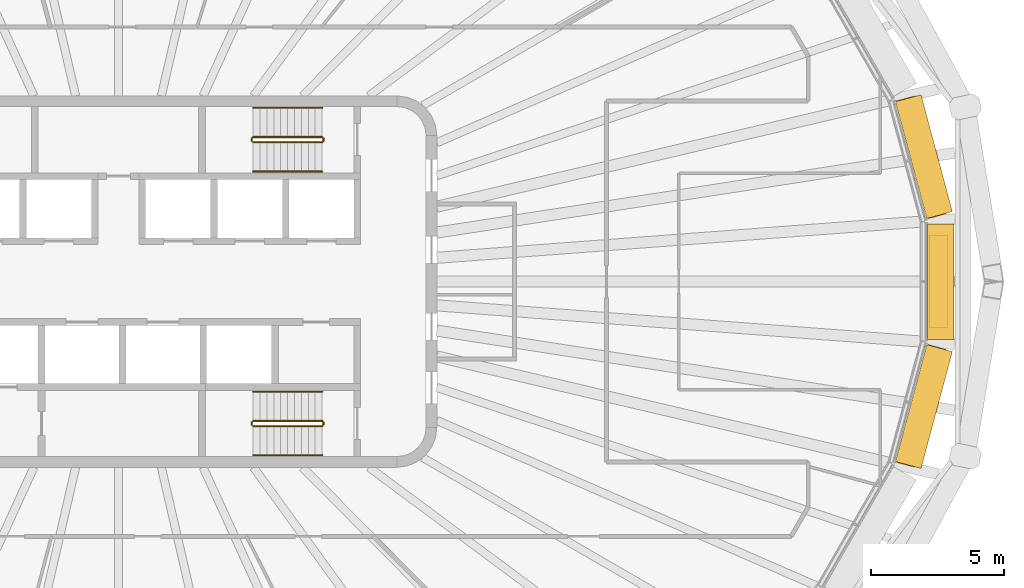
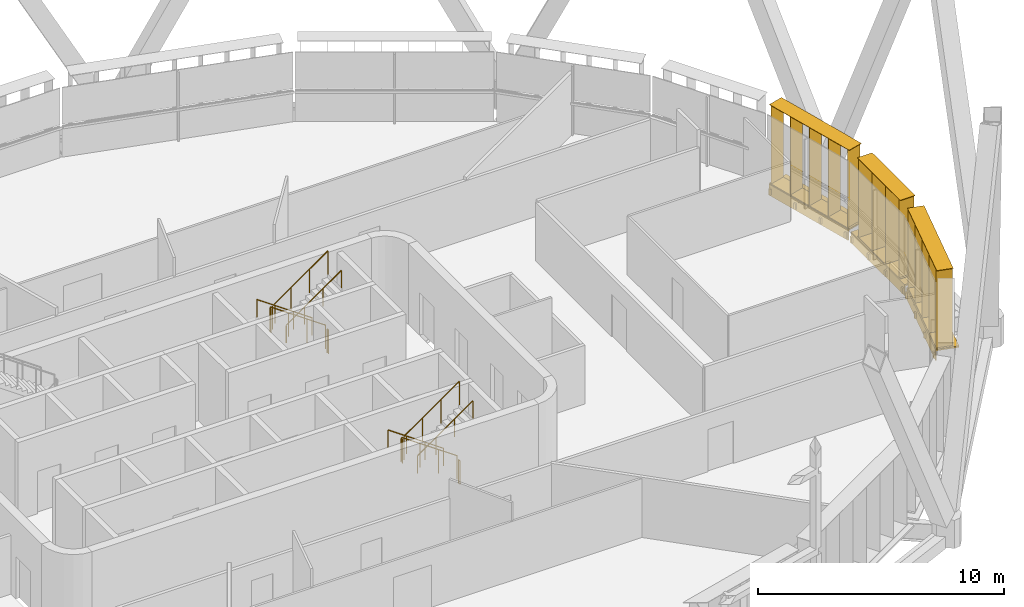
# One storey, part 21 of 22: 12 railings, 6 shading devices.
"""IFC4 building model written with IfcOpenShell, lengths in metres."""

import ifcopenshell
import ifcopenshell.guid

model = None  # the IFC model being written
_history = None  # IfcOwnerHistory: only IFC2X3 demands one
_inside = {}  # id of a spatial element -> (the spatial element, [elements in it])
_under = {}  # id of a project, library or spatial element -> (it, [spatial elements below it])
_declared = {}  # id of a project -> (the project, [libraries it declares])
_typed = {}  # id of a type object -> (the type object, [elements of that type])
_made_of = {}  # id of a material, layer set ... -> (it, [elements and type objects made of it])


def new_model(schema):
    """Start an empty IFC model of exactly this schema.

    Asked for "IFC4X3", IfcOpenShell would pick the latest addendum, in which some entities
    have other attributes; the version numbers below select the first issue.
    IFC2X3 requires an IfcOwnerHistory on every rooted entity: one is made here for all.
    """
    global model, _history
    if schema == "IFC4X3":
        model = ifcopenshell.file(schema_version=(4, 3, 0, 0))
    else:
        model = ifcopenshell.file(schema=schema)
    _inside.clear()
    _under.clear()
    _declared.clear()
    _typed.clear()
    _made_of.clear()
    _history = None
    if model.schema == "IFC2X3":
        org = make("IfcOrganization", Name="unknown")
        user = make(
            "IfcPersonAndOrganization",
            ThePerson=make("IfcPerson", FamilyName="unknown"),
            TheOrganization=org,
        )
        app = make(
            "IfcApplication",
            ApplicationDeveloper=org,
            Version="unknown",
            ApplicationFullName="unknown",
            ApplicationIdentifier="unknown",
        )
        _history = make(
            "IfcOwnerHistory",
            OwningUser=user,
            OwningApplication=app,
            ChangeAction="ADDED",
            CreationDate=0,
        )
    return model


def make(cls, **values):
    """One entity of the class cls with the attributes given. An attribute that is None is left unset."""
    return model.create_entity(
        cls, **{name: value for name, value in values.items() if value is not None}
    )


def rooted(cls, **values):
    """An entity with a GlobalId (a new one), such as an element, a storey or a relation."""
    return make(cls, GlobalId=ifcopenshell.guid.new(), OwnerHistory=_history, **values)


def si_unit(unit_type, name, prefix=None):
    """IfcSIUnit, for example si_unit("LENGTHUNIT", "METRE", prefix="MILLI")."""
    return make("IfcSIUnit", UnitType=unit_type, Prefix=prefix, Name=name)


def assignment(units):
    """IfcUnitAssignment: the units of a project."""
    return None if units is None else make("IfcUnitAssignment", Units=units)


def point(xyz):
    """IfcCartesianPoint."""
    return None if xyz is None else make("IfcCartesianPoint", Coordinates=xyz)


def direction(xyz):
    """IfcDirection."""
    return None if xyz is None else make("IfcDirection", DirectionRatios=xyz)


def frame(location, z_axis=None, x_axis=None):
    """IfcAxis2Placement3D, a coordinate frame: its origin and axes. An axis left out is left unset."""
    return make(
        "IfcAxis2Placement3D",
        Location=point(location),
        Axis=direction(z_axis),
        RefDirection=direction(x_axis),
    )


def frame_2d(location, x_axis=None):
    """IfcAxis2Placement2D, a coordinate frame in the plane: its origin and x axis."""
    return make(
        "IfcAxis2Placement2D", Location=point(location), RefDirection=direction(x_axis)
    )


def origin():
    """The frame at (0, 0, 0) with its axes left unset."""
    return frame((0.0, 0.0, 0.0))


def origin_2d():
    """The frame at (0, 0) in the plane with its x axis left unset."""
    return frame_2d((0.0, 0.0))


def place(relative_to, where):
    """IfcLocalPlacement: puts the frame where relative to a parent placement (None: the world)."""
    return make(
        "IfcLocalPlacement", PlacementRelTo=relative_to, RelativePlacement=where
    )


def context(
    kind, dimensions, precision=None, world=None, true_north=None, identifier=None
):
    """IfcGeometricRepresentationContext, for example the 3D "Model" context."""
    return make(
        "IfcGeometricRepresentationContext",
        ContextIdentifier=identifier,
        ContextType=kind,
        CoordinateSpaceDimension=dimensions,
        Precision=precision,
        WorldCoordinateSystem=world,
        TrueNorth=true_north,
    )


def subcontext(parent, identifier, kind, view, scale=None):
    """IfcGeometricRepresentationSubContext, for example "Body" below "Model"."""
    return make(
        "IfcGeometricRepresentationSubContext",
        ContextIdentifier=identifier,
        ContextType=kind,
        ParentContext=parent,
        TargetScale=scale,
        TargetView=view,
    )


def project(units=None, contexts=None):
    """IfcProject with its units and contexts."""
    return rooted(
        "IfcProject",
        Name="project",
        RepresentationContexts=contexts,
        UnitsInContext=assignment(units),
    )


def spatial(cls, under=None, at=None, **own):
    """A site, building, storey or space (cls), placed at a placement, below another one or the project."""
    s = rooted(cls, ObjectPlacement=at, **own)
    if under is not None:
        _under.setdefault(under.id(), (under, []))[1].append(s)
    return s


def profile(cls, at=None, kind="AREA", **sizes):
    """A parametric profile (cls). Its sizes go by their IFC names, for example OverallWidth=200.0."""
    return make(cls, ProfileType=kind, Position=at, **sizes)


def rectangle(**sizes):
    """IfcRectangleProfileDef."""
    return profile("IfcRectangleProfileDef", **sizes)


def circle(**sizes):
    """IfcCircleProfileDef."""
    return profile("IfcCircleProfileDef", **sizes)


def extrude(swept, where, along, depth):
    """IfcExtrudedAreaSolid: the profile swept, set in the frame where, extruded along a direction by depth."""
    return make(
        "IfcExtrudedAreaSolid",
        SweptArea=swept,
        Position=where,
        ExtrudedDirection=direction(along),
        Depth=depth,
    )


def shape(context_of_items, identifier, shape_type, items):
    """IfcShapeRepresentation: the items that make up one representation, for example the "Body"."""
    return make(
        "IfcShapeRepresentation",
        ContextOfItems=context_of_items,
        RepresentationIdentifier=identifier,
        RepresentationType=shape_type,
        Items=items,
    )


def material(Name=None, Category=None):
    """IfcMaterial."""
    return make("IfcMaterial", Name=Name, Category=Category)


def made_of(thing, what):
    """Note that an element or type object is made of a material, layer set ...; save() writes the relation."""
    if what is not None:
        _made_of.setdefault(what.id(), (what, []))[1].append(thing)
    return thing


def type_object(cls, material=None, **own):
    """A type object (cls), such as IfcWallType, which elements share."""
    return made_of(rooted(cls, **own), material)


def element(
    cls,
    number,
    at=None,
    inside=None,
    cuts=None,
    type_object=None,
    material=None,
    context=None,
    identifier="Body",
    shape_type=None,
    held_by="IfcProductDefinitionShape",
    body=None,
    shapes=None,
    **own,
):
    """One element of the class cls, such as IfcWall. Its Tag is "e" and its number.

    at: its placement. inside: the storey or other place that contains it. cuts: it is an
    opening in that element (IfcRelVoidsElement). A single representation is given by context,
    identifier, shape_type and body (its items); several are given by shapes. held_by: the class
    of the entity that holds the representations. save() writes the other relations.
    """
    e = rooted(cls, Tag="e%d" % number, ObjectPlacement=at, **own)
    if body is not None:
        shapes = [shape(context, identifier, shape_type, body)]
    if shapes is not None:
        e.Representation = make(held_by, Representations=shapes)
    if inside is not None:
        _inside.setdefault(inside.id(), (inside, []))[1].append(e)
    if cuts is not None:
        rooted(
            "IfcRelVoidsElement", RelatingBuildingElement=cuts, RelatedOpeningElement=e
        )
    if type_object is not None:
        _typed.setdefault(type_object.id(), (type_object, []))[1].append(e)
    return made_of(e, material)


def aggregate(whole, parts):
    """IfcRelAggregates: a whole, such as a stair, and the parts it consists of."""
    return rooted("IfcRelAggregates", RelatingObject=whole, RelatedObjects=parts)


def save(model, path):
    """Write the relations noted so far, then the file.

    IfcRelAggregates (storeys below a building ...), IfcRelContainedInSpatialStructure (elements
    in a storey), IfcRelDefinesByType, IfcRelAssociatesMaterial and IfcRelDeclares: one each for
    every whole, place, type object, material and project.
    """
    for whole, parts in _under.values():
        aggregate(whole, parts)
    for where, things in _inside.values():
        rooted(
            "IfcRelContainedInSpatialStructure",
            RelatedElements=things,
            RelatingStructure=where,
        )
    for kind, things in _typed.values():
        rooted("IfcRelDefinesByType", RelatedObjects=things, RelatingType=kind)
    for what, things in _made_of.values():
        rooted("IfcRelAssociatesMaterial", RelatedObjects=things, RelatingMaterial=what)
    for by, libraries in _declared.values():
        rooted("IfcRelDeclares", RelatingContext=by, RelatedDefinitions=libraries)
    model.write(path)


model = new_model("IFC4")

# Units and contexts
model_context = context("Model", 3, precision=1e-05, world=origin(), true_north=direction((0.0, 1.0)))
body_context = subcontext(model_context, "Body", "Model", "MODEL_VIEW")
ifc_project = project(units=[si_unit("LENGTHUNIT", "METRE"), si_unit("AREAUNIT", "SQUARE_METRE"), si_unit("VOLUMEUNIT", "CUBIC_METRE"), si_unit("PLANEANGLEUNIT", "RADIAN"), si_unit("MASSUNIT", "GRAM", prefix="KILO")], contexts=[model_context])

# Site, building, storey
site_placement = place(None, origin())
site = spatial("IfcSite", under=ifc_project, at=site_placement, CompositionType="ELEMENT")
building_placement = place(site_placement, origin())
building = spatial("IfcBuilding", under=site, at=building_placement, Name="Sahrelin Media Tower", CompositionType="ELEMENT")
storey_placement = place(building_placement, frame((0.0, 0.0, 233.60009765625)))
storey = spatial("IfcBuildingStorey", under=building, at=storey_placement, Name="L50", CompositionType="ELEMENT", Elevation=233.60009765625)

# Shading devices
ifc_material_1 = material(Name="Champagne anodised aluminium 6063-T6", Category="aluminium")
shading_device_type_1 = type_object("IfcShadingDeviceType", Name="Fin cassette", PredefinedType="USERDEFINED", material=ifc_material_1)
placement_1 = place(storey_placement, frame((30.474853515625, 0.0, 0.0), z_axis=(0.0, 0.0, 1.0), x_axis=(0.0, -1.0, 0.0)))
element("IfcShadingDevice", 1, at=placement_1, inside=storey, type_object=shading_device_type_1, Name="L50:FIN:L50-00", ObjectType="FIN", PredefinedType="USERDEFINED", context=body_context, shape_type="SweptSolid", body=[
    extrude(rectangle(XDim=3.5, YDim=0.699951171875, at=origin_2d()), frame((0.0, 0.419921875, 0.0)), (0.0, 0.0, 1.0), 0.02001953125),
    extrude(rectangle(XDim=3.5, YDim=0.699951171875, at=origin_2d()), frame((0.0, 0.419921875, 3.89990234375)), (0.0, 0.0, 1.0), 0.02001953125),
    extrude(rectangle(XDim=0.02001953125, YDim=0.699951171875, at=origin_2d()), frame((-1.64990234375, 0.419921875, 0.010009765625), z_axis=(0.0, 0.0, 1.0), x_axis=(1.0, 0.0, 0.0)), (0.0, 0.0, 1.0), 3.89990234375),
    extrude(rectangle(XDim=0.02001953125, YDim=0.699951171875, at=origin_2d()), frame((-0.550048828125, 0.419921875, 0.010009765625), z_axis=(0.0, 0.0, 1.0), x_axis=(1.0, 0.0, 0.0)), (0.0, 0.0, 1.0), 3.89990234375),
    extrude(rectangle(XDim=0.02001953125, YDim=0.699951171875, at=origin_2d()), frame((0.550048828125, 0.419921875, 0.010009765625), z_axis=(0.0, 0.0, 1.0), x_axis=(1.0, 0.0, 0.0)), (0.0, 0.0, 1.0), 3.89990234375),
    extrude(rectangle(XDim=0.02001953125, YDim=0.699951171875, at=origin_2d()), frame((1.64990234375, 0.419921875, 0.010009765625), z_axis=(0.0, 0.0, 1.0), x_axis=(1.0, 0.0, 0.0)), (0.0, 0.0, 1.0), 3.89990234375),
])
placement_2 = place(storey_placement, frame((29.858642578125, 4.576171875, 0.0), z_axis=(0.0, 0.0, 1.0), x_axis=(0.258807731996, -0.965928857556, 0.0)))
element("IfcShadingDevice", 2, at=placement_2, inside=storey, type_object=shading_device_type_1, Name="L50:FIN:L50-01", ObjectType="FIN", PredefinedType="USERDEFINED", context=body_context, shape_type="SweptSolid", body=[
    extrude(rectangle(XDim=4.60009765625, YDim=0.699951171875, at=origin_2d()), frame((0.0, 0.419921875, 0.0)), (0.0, 0.0, 1.0), 0.02001953125),
    extrude(rectangle(XDim=4.60009765625, YDim=0.699951171875, at=origin_2d()), frame((0.0, 0.419921875, 3.89990234375)), (0.0, 0.0, 1.0), 0.02001953125),
    extrude(rectangle(XDim=0.02001953125, YDim=0.699951171875, at=origin_2d()), frame((-2.199951171875, 0.419921875, 0.010009765625), z_axis=(0.0, 0.0, 1.0), x_axis=(1.0, 0.0, 0.0)), (0.0, 0.0, 1.0), 3.89990234375),
    extrude(rectangle(XDim=0.02001953125, YDim=0.699951171875, at=origin_2d()), frame((-1.10009765625, 0.419921875, 0.010009765625), z_axis=(0.0, 0.0, 1.0), x_axis=(1.0, 0.0, 0.0)), (0.0, 0.0, 1.0), 3.89990234375),
    extrude(rectangle(XDim=0.02001953125, YDim=0.699951171875, at=origin_2d()), frame((0.0, 0.419921875, 0.010009765625), z_axis=(0.0, 0.0, 1.0), x_axis=(1.0, 0.0, 0.0)), (0.0, 0.0, 1.0), 3.89990234375),
    extrude(rectangle(XDim=0.02001953125, YDim=0.699951171875, at=origin_2d()), frame((1.10009765625, 0.419921875, 0.010009765625), z_axis=(0.0, 0.0, 1.0), x_axis=(1.0, 0.0, 0.0)), (0.0, 0.0, 1.0), 3.89990234375),
    extrude(rectangle(XDim=0.02001953125, YDim=0.699951171875, at=origin_2d()), frame((2.199951171875, 0.419921875, 0.010009765625), z_axis=(0.0, 0.0, 1.0), x_axis=(1.0, 0.0, 0.0)), (0.0, 0.0, 1.0), 3.89990234375),
])
placement_3 = place(storey_placement, frame((29.858642578125, -4.576171875, 0.0), z_axis=(0.0, 0.0, 1.0), x_axis=(-0.258807731996, -0.965928857556, 0.0)))
element("IfcShadingDevice", 3, at=placement_3, inside=storey, type_object=shading_device_type_1, Name="L50:FIN:L50-23", ObjectType="FIN", PredefinedType="USERDEFINED", context=body_context, shape_type="SweptSolid", body=[
    extrude(rectangle(XDim=4.60009765625, YDim=0.699951171875, at=origin_2d()), frame((0.0, 0.419921875, 0.0)), (0.0, 0.0, 1.0), 0.02001953125),
    extrude(rectangle(XDim=4.60009765625, YDim=0.699951171875, at=origin_2d()), frame((0.0, 0.419921875, 3.89990234375)), (0.0, 0.0, 1.0), 0.02001953125),
    extrude(rectangle(XDim=0.02001953125, YDim=0.699951171875, at=origin_2d()), frame((-2.199951171875, 0.419921875, 0.010009765625), z_axis=(0.0, 0.0, 1.0), x_axis=(1.0, 0.0, 0.0)), (0.0, 0.0, 1.0), 3.89990234375),
    extrude(rectangle(XDim=0.02001953125, YDim=0.699951171875, at=origin_2d()), frame((-1.10009765625, 0.419921875, 0.010009765625), z_axis=(0.0, 0.0, 1.0), x_axis=(1.0, 0.0, 0.0)), (0.0, 0.0, 1.0), 3.89990234375),
    extrude(rectangle(XDim=0.02001953125, YDim=0.699951171875, at=origin_2d()), frame((0.0, 0.419921875, 0.010009765625), z_axis=(0.0, 0.0, 1.0), x_axis=(1.0, 0.0, 0.0)), (0.0, 0.0, 1.0), 3.89990234375),
    extrude(rectangle(XDim=0.02001953125, YDim=0.699951171875, at=origin_2d()), frame((1.10009765625, 0.419921875, 0.010009765625), z_axis=(0.0, 0.0, 1.0), x_axis=(1.0, 0.0, 0.0)), (0.0, 0.0, 1.0), 3.89990234375),
    extrude(rectangle(XDim=0.02001953125, YDim=0.699951171875, at=origin_2d()), frame((2.199951171875, 0.419921875, 0.010009765625), z_axis=(0.0, 0.0, 1.0), x_axis=(1.0, 0.0, 0.0)), (0.0, 0.0, 1.0), 3.89990234375),
])

# Railings
ifc_material_2 = material(Name="Steel S355", Category="steel")
railing_type_1 = type_object("IfcRailingType", Name="Stair guard 1200", PredefinedType="GUARDRAIL", material=ifc_material_2)
railing_1_placement = place(storey_placement, frame((7.675048828125, 5.449951171875, 0.181640625)))
element("IfcRailing", 4, at=railing_1_placement, inside=storey, type_object=railing_type_1, Name="L50 ST3 stair guard 1", PredefinedType="GUARDRAIL", context=body_context, shape_type="SweptSolid", body=[
    extrude(circle(Radius=0.02392578125, at=origin_2d()), frame((0.0, 0.0, 1.17578125), z_axis=(-0.819484887739, 0.0, 0.573100792852), x_axis=(0.0, -1.0, 0.0)), (0.0, 0.0, 1.0), 3.1728515625),
    extrude(circle(Radius=0.02099609375, at=origin_2d()), origin(), (0.0, 0.0, 1.0), 1.15185546875),
    extrude(circle(Radius=0.02099609375, at=origin_2d()), frame((-0.86669921875, 0.0, 0.606201171875)), (0.0, 0.0, 1.0), 1.15185546875),
    extrude(circle(Radius=0.02099609375, at=origin_2d()), frame((-1.7333984375, 0.0, 1.212158203125)), (0.0, 0.0, 1.0), 1.15185546875),
    extrude(circle(Radius=0.02099609375, at=origin_2d()), frame((-2.60009765625, 0.0, 1.818359375)), (0.0, 0.0, 1.0), 1.15185546875),
])
railing_2_placement = place(storey_placement, frame((5.02490234375, 5.39990234375, 2.0)))
element("IfcRailing", 5, at=railing_2_placement, inside=storey, type_object=railing_type_1, Name="L50 ST3 stair guard 2", PredefinedType="GUARDRAIL", context=body_context, shape_type="SweptSolid", body=[
    extrude(circle(Radius=0.02392578125, at=origin_2d()), frame((0.0, 0.0, 1.17578125), z_axis=(0.0, -1.0, 0.0), x_axis=(1.0, 0.0, 0.0)), (0.0, 0.0, 1.0), 0.099853515625),
    extrude(circle(Radius=0.02099609375, at=origin_2d()), origin(), (0.0, 0.0, 1.0), 1.15185546875),
    extrude(circle(Radius=0.02099609375, at=origin_2d()), frame((0.0, -0.099853515625, 0.0)), (0.0, 0.0, 1.0), 1.15185546875),
])
railing_3_placement = place(storey_placement, frame((5.074951171875, 5.25, 2.181640625)))
element("IfcRailing", 6, at=railing_3_placement, inside=storey, type_object=railing_type_1, Name="L50 ST3 stair guard 3", PredefinedType="GUARDRAIL", context=body_context, shape_type="SweptSolid", body=[
    extrude(circle(Radius=0.02392578125, at=origin_2d()), frame((0.0, 0.0, 1.17578125), z_axis=(0.819484887739, 0.0, 0.573100792852), x_axis=(0.0, 1.0, 0.0)), (0.0, 0.0, 1.0), 3.1728515625),
    extrude(circle(Radius=0.02099609375, at=origin_2d()), origin(), (0.0, 0.0, 1.0), 1.15185546875),
    extrude(circle(Radius=0.02099609375, at=origin_2d()), frame((0.86669921875, 0.0, 0.606201171875)), (0.0, 0.0, 1.0), 1.15185546875),
    extrude(circle(Radius=0.02099609375, at=origin_2d()), frame((1.7333984375, 0.0, 1.212158203125)), (0.0, 0.0, 1.0), 1.15185546875),
    extrude(circle(Radius=0.02099609375, at=origin_2d()), frame((2.60009765625, 0.0, 1.818359375)), (0.0, 0.0, 1.0), 1.15185546875),
])
railing_4_placement = place(storey_placement, frame((7.72509765625, 5.39990234375, 0.0)))
element("IfcRailing", 7, at=railing_4_placement, inside=storey, type_object=railing_type_1, Name="L50 ST3 stair guard 4", PredefinedType="GUARDRAIL", context=body_context, shape_type="SweptSolid", body=[
    extrude(circle(Radius=0.02392578125, at=origin_2d()), frame((0.0, 0.0, 1.17578125), z_axis=(0.0, -1.0, 0.0), x_axis=(1.0, 0.0, 0.0)), (0.0, 0.0, 1.0), 0.099853515625),
    extrude(circle(Radius=0.02099609375, at=origin_2d()), origin(), (0.0, 0.0, 1.0), 1.15185546875),
    extrude(circle(Radius=0.02099609375, at=origin_2d()), frame((0.0, -0.099853515625, 0.0)), (0.0, 0.0, 1.0), 1.15185546875),
])
railing_5_placement = place(storey_placement, frame((7.675048828125, -5.25, 0.181640625)))
element("IfcRailing", 8, at=railing_5_placement, inside=storey, type_object=railing_type_1, Name="L50 ST2 stair guard 1", PredefinedType="GUARDRAIL", context=body_context, shape_type="SweptSolid", body=[
    extrude(circle(Radius=0.02392578125, at=origin_2d()), frame((0.0, 0.0, 1.17578125), z_axis=(-0.819484887739, 0.0, 0.573100792852), x_axis=(0.0, -1.0, 0.0)), (0.0, 0.0, 1.0), 3.1728515625),
    extrude(circle(Radius=0.02099609375, at=origin_2d()), origin(), (0.0, 0.0, 1.0), 1.15185546875),
    extrude(circle(Radius=0.02099609375, at=origin_2d()), frame((-0.86669921875, 0.0, 0.606201171875)), (0.0, 0.0, 1.0), 1.15185546875),
    extrude(circle(Radius=0.02099609375, at=origin_2d()), frame((-1.7333984375, 0.0, 1.212158203125)), (0.0, 0.0, 1.0), 1.15185546875),
    extrude(circle(Radius=0.02099609375, at=origin_2d()), frame((-2.60009765625, 0.0, 1.818359375)), (0.0, 0.0, 1.0), 1.15185546875),
])
railing_6_placement = place(storey_placement, frame((5.02490234375, -5.300048828125, 2.0)))
element("IfcRailing", 9, at=railing_6_placement, inside=storey, type_object=railing_type_1, Name="L50 ST2 stair guard 2", PredefinedType="GUARDRAIL", context=body_context, shape_type="SweptSolid", body=[
    extrude(circle(Radius=0.02392578125, at=origin_2d()), frame((0.0, 0.0, 1.17578125), z_axis=(0.0, -1.0, 0.0), x_axis=(1.0, 0.0, 0.0)), (0.0, 0.0, 1.0), 0.099853515625),
    extrude(circle(Radius=0.02099609375, at=origin_2d()), origin(), (0.0, 0.0, 1.0), 1.15185546875),
    extrude(circle(Radius=0.02099609375, at=origin_2d()), frame((0.0, -0.099853515625, 0.0)), (0.0, 0.0, 1.0), 1.15185546875),
])
railing_7_placement = place(storey_placement, frame((5.074951171875, -5.449951171875, 2.181640625)))
element("IfcRailing", 10, at=railing_7_placement, inside=storey, type_object=railing_type_1, Name="L50 ST2 stair guard 3", PredefinedType="GUARDRAIL", context=body_context, shape_type="SweptSolid", body=[
    extrude(circle(Radius=0.02392578125, at=origin_2d()), frame((0.0, 0.0, 1.17578125), z_axis=(0.819484887739, 0.0, 0.573100792852), x_axis=(0.0, 1.0, 0.0)), (0.0, 0.0, 1.0), 3.1728515625),
    extrude(circle(Radius=0.02099609375, at=origin_2d()), origin(), (0.0, 0.0, 1.0), 1.15185546875),
    extrude(circle(Radius=0.02099609375, at=origin_2d()), frame((0.86669921875, 0.0, 0.606201171875)), (0.0, 0.0, 1.0), 1.15185546875),
    extrude(circle(Radius=0.02099609375, at=origin_2d()), frame((1.7333984375, 0.0, 1.212158203125)), (0.0, 0.0, 1.0), 1.15185546875),
    extrude(circle(Radius=0.02099609375, at=origin_2d()), frame((2.60009765625, 0.0, 1.818359375)), (0.0, 0.0, 1.0), 1.15185546875),
])
railing_8_placement = place(storey_placement, frame((7.72509765625, -5.300048828125, 0.0)))
element("IfcRailing", 11, at=railing_8_placement, inside=storey, type_object=railing_type_1, Name="L50 ST2 stair guard 4", PredefinedType="GUARDRAIL", context=body_context, shape_type="SweptSolid", body=[
    extrude(circle(Radius=0.02392578125, at=origin_2d()), frame((0.0, 0.0, 1.17578125), z_axis=(0.0, -1.0, 0.0), x_axis=(1.0, 0.0, 0.0)), (0.0, 0.0, 1.0), 0.099853515625),
    extrude(circle(Radius=0.02099609375, at=origin_2d()), origin(), (0.0, 0.0, 1.0), 1.15185546875),
    extrude(circle(Radius=0.02099609375, at=origin_2d()), frame((0.0, -0.099853515625, 0.0)), (0.0, 0.0, 1.0), 1.15185546875),
])
railing_type_2 = type_object("IfcRailingType", Name="Stair handrail 900", PredefinedType="HANDRAIL", material=ifc_material_2)
railing_9_placement = place(storey_placement, frame((7.675048828125, 6.550048828125, 0.181640625)))
element("IfcRailing", 12, at=railing_9_placement, inside=storey, type_object=railing_type_2, Name="L50 ST3 stair handrail 1", PredefinedType="HANDRAIL", context=body_context, shape_type="SweptSolid", body=[
    extrude(circle(Radius=0.02392578125, at=origin_2d()), frame((0.0, 0.0, 0.8759765625), z_axis=(-0.819484887739, 0.0, 0.573100792852), x_axis=(0.0, -1.0, 0.0)), (0.0, 0.0, 1.0), 3.1728515625),
    extrude(circle(Radius=0.02099609375, at=origin_2d()), origin(), (0.0, 0.0, 1.0), 0.851806640625),
    extrude(circle(Radius=0.02099609375, at=origin_2d()), frame((-0.86669921875, 0.0, 0.606201171875)), (0.0, 0.0, 1.0), 0.851806640625),
    extrude(circle(Radius=0.02099609375, at=origin_2d()), frame((-1.7333984375, 0.0, 1.212158203125)), (0.0, 0.0, 1.0), 0.851806640625),
    extrude(circle(Radius=0.02099609375, at=origin_2d()), frame((-2.60009765625, 0.0, 1.818359375)), (0.0, 0.0, 1.0), 0.851806640625),
])
railing_10_placement = place(storey_placement, frame((5.074951171875, 4.14990234375, 2.181640625)))
element("IfcRailing", 13, at=railing_10_placement, inside=storey, type_object=railing_type_2, Name="L50 ST3 stair handrail 2", PredefinedType="HANDRAIL", context=body_context, shape_type="SweptSolid", body=[
    extrude(circle(Radius=0.02392578125, at=origin_2d()), frame((0.0, 0.0, 0.8759765625), z_axis=(0.819484887739, 0.0, 0.573100792852), x_axis=(0.0, 1.0, 0.0)), (0.0, 0.0, 1.0), 3.1728515625),
    extrude(circle(Radius=0.02099609375, at=origin_2d()), origin(), (0.0, 0.0, 1.0), 0.851806640625),
    extrude(circle(Radius=0.02099609375, at=origin_2d()), frame((0.86669921875, 0.0, 0.606201171875)), (0.0, 0.0, 1.0), 0.851806640625),
    extrude(circle(Radius=0.02099609375, at=origin_2d()), frame((1.7333984375, 0.0, 1.212158203125)), (0.0, 0.0, 1.0), 0.851806640625),
    extrude(circle(Radius=0.02099609375, at=origin_2d()), frame((2.60009765625, 0.0, 1.818359375)), (0.0, 0.0, 1.0), 0.851806640625),
])
railing_11_placement = place(storey_placement, frame((7.675048828125, -4.14990234375, 0.181640625)))
element("IfcRailing", 14, at=railing_11_placement, inside=storey, type_object=railing_type_2, Name="L50 ST2 stair handrail 1", PredefinedType="HANDRAIL", context=body_context, shape_type="SweptSolid", body=[
    extrude(circle(Radius=0.02392578125, at=origin_2d()), frame((0.0, 0.0, 0.8759765625), z_axis=(-0.819484887739, 0.0, 0.573100792852), x_axis=(0.0, -1.0, 0.0)), (0.0, 0.0, 1.0), 3.1728515625),
    extrude(circle(Radius=0.02099609375, at=origin_2d()), origin(), (0.0, 0.0, 1.0), 0.851806640625),
    extrude(circle(Radius=0.02099609375, at=origin_2d()), frame((-0.86669921875, 0.0, 0.606201171875)), (0.0, 0.0, 1.0), 0.851806640625),
    extrude(circle(Radius=0.02099609375, at=origin_2d()), frame((-1.7333984375, 0.0, 1.212158203125)), (0.0, 0.0, 1.0), 0.851806640625),
    extrude(circle(Radius=0.02099609375, at=origin_2d()), frame((-2.60009765625, 0.0, 1.818359375)), (0.0, 0.0, 1.0), 0.851806640625),
])
railing_12_placement = place(storey_placement, frame((5.074951171875, -6.550048828125, 2.181640625)))
element("IfcRailing", 15, at=railing_12_placement, inside=storey, type_object=railing_type_2, Name="L50 ST2 stair handrail 2", PredefinedType="HANDRAIL", context=body_context, shape_type="SweptSolid", body=[
    extrude(circle(Radius=0.02392578125, at=origin_2d()), frame((0.0, 0.0, 0.8759765625), z_axis=(0.819484887739, 0.0, 0.573100792852), x_axis=(0.0, 1.0, 0.0)), (0.0, 0.0, 1.0), 3.1728515625),
    extrude(circle(Radius=0.02099609375, at=origin_2d()), origin(), (0.0, 0.0, 1.0), 0.851806640625),
    extrude(circle(Radius=0.02099609375, at=origin_2d()), frame((0.86669921875, 0.0, 0.606201171875)), (0.0, 0.0, 1.0), 0.851806640625),
    extrude(circle(Radius=0.02099609375, at=origin_2d()), frame((1.7333984375, 0.0, 1.212158203125)), (0.0, 0.0, 1.0), 0.851806640625),
    extrude(circle(Radius=0.02099609375, at=origin_2d()), frame((2.60009765625, 0.0, 1.818359375)), (0.0, 0.0, 1.0), 0.851806640625),
])

# Shading devices
shading_device_type_2 = type_object("IfcShadingDeviceType", Name="Sunshade band", PredefinedType="USERDEFINED", material=ifc_material_1)
element("IfcShadingDevice", 16, at=placement_1, inside=storey, type_object=shading_device_type_2, Name="L50:SUN:L50-00", ObjectType="SUNSHADE", PredefinedType="USERDEFINED", context=body_context, shape_type="SweptSolid", body=[
    extrude(rectangle(XDim=4.352783203125, YDim=0.050048828125, at=origin_2d()), frame((0.0, 0.044921875, -0.55126953125)), (0.0, 0.0, 1.0), 0.471435546875),
    extrude(rectangle(XDim=4.352783203125, YDim=1.0, at=origin_2d()), frame((0.0, 0.52001953125, -0.080078125)), (0.0, 0.0, 1.0), 0.080078125),
    extrude(rectangle(XDim=0.10009765625, YDim=0.074951171875, at=origin_2d()), frame((-2.076416015625, -0.017578125, -0.47021484375)), (0.0, 0.0, 1.0), 0.300048828125),
    extrude(rectangle(XDim=0.10009765625, YDim=0.074951171875, at=origin_2d()), frame((-0.692138671875, -0.017578125, -0.47021484375)), (0.0, 0.0, 1.0), 0.300048828125),
    extrude(rectangle(XDim=0.10009765625, YDim=0.074951171875, at=origin_2d()), frame((0.692138671875, -0.017578125, -0.47021484375)), (0.0, 0.0, 1.0), 0.300048828125),
    extrude(rectangle(XDim=0.10009765625, YDim=0.074951171875, at=origin_2d()), frame((2.076416015625, -0.017578125, -0.47021484375)), (0.0, 0.0, 1.0), 0.300048828125),
])
element("IfcShadingDevice", 17, at=placement_2, inside=storey, type_object=shading_device_type_2, Name="L50:SUN:L50-01", ObjectType="SUNSHADE", PredefinedType="USERDEFINED", context=body_context, shape_type="SweptSolid", body=[
    extrude(rectangle(XDim=4.5615234375, YDim=0.050048828125, at=origin_2d()), frame((0.0, 0.044921875, -0.55126953125)), (0.0, 0.0, 1.0), 0.471435546875),
    extrude(rectangle(XDim=4.5615234375, YDim=1.0, at=origin_2d()), frame((0.0, 0.52001953125, -0.080078125)), (0.0, 0.0, 1.0), 0.080078125),
    extrude(rectangle(XDim=0.10009765625, YDim=0.074951171875, at=origin_2d()), frame((-2.180908203125, -0.017578125, -0.47021484375)), (0.0, 0.0, 1.0), 0.300048828125),
    extrude(rectangle(XDim=0.10009765625, YDim=0.074951171875, at=origin_2d()), frame((-0.726806640625, -0.017578125, -0.47021484375)), (0.0, 0.0, 1.0), 0.300048828125),
    extrude(rectangle(XDim=0.10009765625, YDim=0.074951171875, at=origin_2d()), frame((0.726806640625, -0.017578125, -0.47021484375)), (0.0, 0.0, 1.0), 0.300048828125),
    extrude(rectangle(XDim=0.10009765625, YDim=0.074951171875, at=origin_2d()), frame((2.180908203125, -0.017578125, -0.47021484375)), (0.0, 0.0, 1.0), 0.300048828125),
])
element("IfcShadingDevice", 18, at=placement_3, inside=storey, type_object=shading_device_type_2, Name="L50:SUN:L50-23", ObjectType="SUNSHADE", PredefinedType="USERDEFINED", context=body_context, shape_type="SweptSolid", body=[
    extrude(rectangle(XDim=4.5615234375, YDim=0.050048828125, at=origin_2d()), frame((0.0, 0.044921875, -0.55126953125)), (0.0, 0.0, 1.0), 0.471435546875),
    extrude(rectangle(XDim=4.5615234375, YDim=1.0, at=origin_2d()), frame((0.0, 0.52001953125, -0.080078125)), (0.0, 0.0, 1.0), 0.080078125),
    extrude(rectangle(XDim=0.10009765625, YDim=0.074951171875, at=origin_2d()), frame((-2.180908203125, -0.017578125, -0.47021484375)), (0.0, 0.0, 1.0), 0.300048828125),
    extrude(rectangle(XDim=0.10009765625, YDim=0.074951171875, at=origin_2d()), frame((-0.726806640625, -0.017578125, -0.47021484375)), (0.0, 0.0, 1.0), 0.300048828125),
    extrude(rectangle(XDim=0.10009765625, YDim=0.074951171875, at=origin_2d()), frame((0.726806640625, -0.017578125, -0.47021484375)), (0.0, 0.0, 1.0), 0.300048828125),
    extrude(rectangle(XDim=0.10009765625, YDim=0.074951171875, at=origin_2d()), frame((2.180908203125, -0.017578125, -0.47021484375)), (0.0, 0.0, 1.0), 0.300048828125),
])

save(model, "model.ifc")
